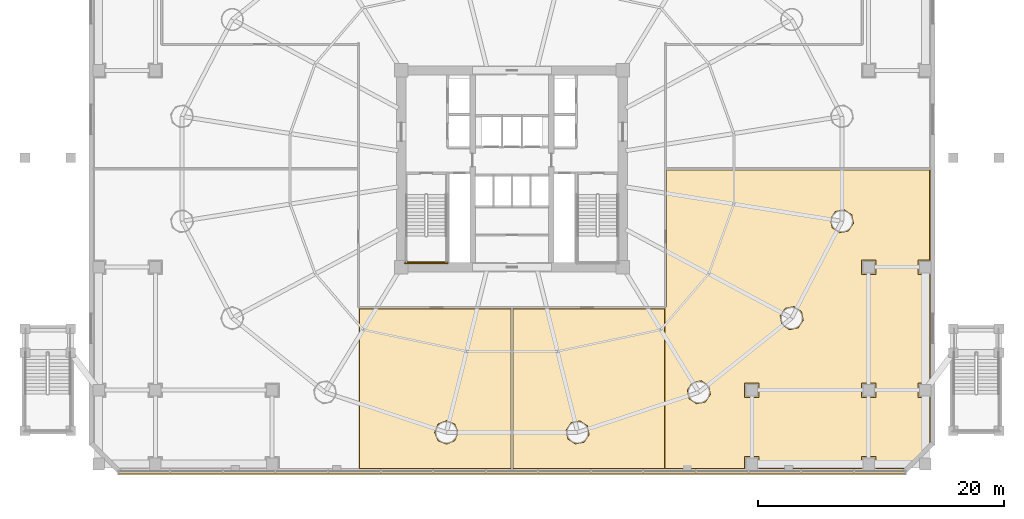
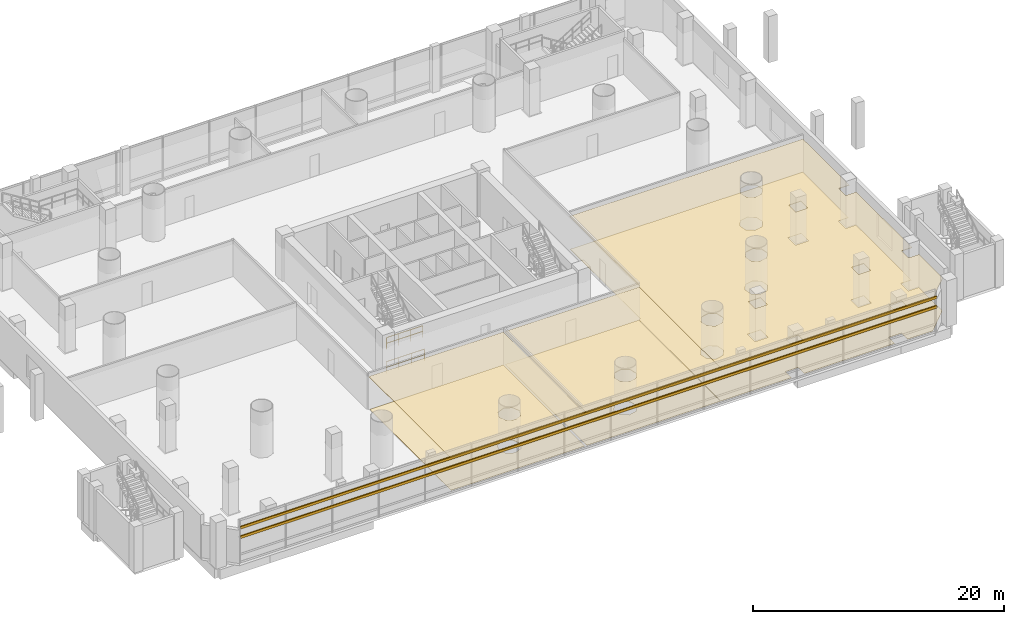
# One storey, part 28 of 36: 6 coverings, 2 railings, 2 shading devices.
"""IFC4 building model written with IfcOpenShell, lengths in metres."""

from ifc_helpers import new_model, si_unit, direction, frame, origin, origin_2d, place, context, subcontext, project, spatial, polyline, rectangle, hollow_rectangle, outline, extrude, source, transform, mapped, material, layer, layer_set, material_profile, profile_set, type_object, element, save


model = new_model("IFC4")

# Units and contexts
model_context = context("Model", 3, precision=1e-05, world=origin(), true_north=direction((-0.2419218956, 0.970295726276)))
body_context = subcontext(model_context, "Body", "Model", "MODEL_VIEW")
ifc_project = project(units=[si_unit("LENGTHUNIT", "METRE"), si_unit("AREAUNIT", "SQUARE_METRE"), si_unit("VOLUMEUNIT", "CUBIC_METRE"), si_unit("PLANEANGLEUNIT", "RADIAN"), si_unit("MASSUNIT", "GRAM", prefix="KILO")], contexts=[model_context])

# Site, building, storey
site_placement = place(None, origin())
site = spatial("IfcSite", under=ifc_project, at=site_placement, CompositionType="ELEMENT")
building_placement = place(site_placement, origin())
building = spatial("IfcBuilding", under=site, at=building_placement, Name="Cobrevalo Terracotta Tower", CompositionType="ELEMENT")
storey_placement = place(building_placement, frame((0.0, 0.0, 5.39990234375)))
storey = spatial("IfcBuildingStorey", under=building, at=storey_placement, Name="L01", CompositionType="ELEMENT", Elevation=5.39990234375)

# Coverings
ifc_material_1 = material(Name="Honed terracotta and granite tile", Category="masonry")
ifc_layer_1 = layer(ifc_material_1, 0.034912109375)
ifc_layer_set_1 = layer_set([ifc_layer_1], Name="Honed terracotta and granite tile")
covering_type_1 = type_object("IfcCoveringType", Name="Honed Terracotta & Granite Interior Flooring 35", PredefinedType="FLOORING", material=ifc_layer_set_1)
covering_1_placement = place(storey_placement, origin())
element("IfcCovering", 1, at=covering_1_placement, inside=storey, type_object=covering_type_1, Name="L01 Exhibition Atrium floor finish", PredefinedType="FLOORING", context=body_context, shape_type="SweptSolid", body=[
    extrude(outline(polyline([(69.921630859375, 2.43994140625), (67.60009765625, 2.43994140625), (67.60009765625, 3.39990234375), (66.39990234375, 3.39990234375), (66.39990234375, 2.43994140625), (58.10009765625, 2.43994140625), (58.10009765625, 3.39990234375), (56.89990234375, 3.39990234375), (56.89990234375, 2.43994140625), (50.419921875, 2.43994140625), (50.419921875, 15.423583984375), (50.580078125, 15.59814453125), (50.580078125, 26.699951171875), (71.9599609375, 26.699951171875), (71.9599609375, 19.39990234375), (71.0, 19.39990234375), (71.0, 18.199951171875), (71.9599609375, 18.199951171875), (71.9599609375, 9.39990234375), (71.0, 9.39990234375), (71.0, 8.199951171875), (71.9599609375, 8.199951171875), (71.9599609375, 4.478271484375), (69.921630859375, 2.43994140625)]), holes=[polyline([(66.39990234375, 9.39990234375), (66.39990234375, 8.199951171875), (67.60009765625, 8.199951171875), (67.60009765625, 9.39990234375), (66.39990234375, 9.39990234375)]), polyline([(66.39990234375, 19.39990234375), (66.39990234375, 18.199951171875), (67.60009765625, 18.199951171875), (67.60009765625, 19.39990234375), (66.39990234375, 19.39990234375)]), polyline([(65.35791015625, 21.739013671875), (65.76611328125, 22.349853515625), (65.622802734375, 23.07080078125), (65.01171875, 23.47900390625), (64.291015625, 23.33544921875), (63.8828125, 22.724609375), (64.026123046875, 22.00390625), (64.63720703125, 21.595703125), (65.35791015625, 21.739013671875)]), polyline([(61.274169921875, 13.862548828125), (61.682373046875, 14.473388671875), (61.5390625, 15.194091796875), (60.927978515625, 15.6025390625), (60.207275390625, 15.458984375), (59.799072265625, 14.84814453125), (59.9423828125, 14.12744140625), (60.553466796875, 13.71923828125), (61.274169921875, 13.862548828125)]), polyline([(56.89990234375, 9.39990234375), (56.89990234375, 8.199951171875), (58.10009765625, 8.199951171875), (58.10009765625, 9.39990234375), (56.89990234375, 9.39990234375)]), polyline([(53.728271484375, 7.833984375), (54.136474609375, 8.445068359375), (53.9931640625, 9.165771484375), (53.382080078125, 9.573974609375), (52.661376953125, 9.4306640625), (52.253173828125, 8.819580078125), (52.396484375, 8.098876953125), (53.007568359375, 7.690673828125), (53.728271484375, 7.833984375)])]), origin(), (0.0, 0.0, 1.0), 0.030029296875),
])
covering_2_placement = place(storey_placement, origin())
element("IfcCovering", 2, at=covering_2_placement, inside=storey, type_object=covering_type_1, Name="L01 Cultural Lecture Room floor finish", PredefinedType="FLOORING", context=body_context, shape_type="SweptSolid", body=[
    extrude(outline(polyline([(25.6201171875, 15.419921875), (37.89990234375, 15.419921875), (37.89990234375, 2.43994140625), (25.6201171875, 2.43994140625), (25.6201171875, 15.419921875)]), holes=[polyline([(33.34326171875, 4.69091796875), (33.624267578125, 5.369873046875), (33.34326171875, 6.048828125), (32.664306640625, 6.329833984375), (31.9853515625, 6.048828125), (31.7041015625, 5.369873046875), (31.9853515625, 4.69091796875), (32.664306640625, 4.40966796875), (33.34326171875, 4.69091796875)])]), origin(), (0.0, 0.0, 1.0), 0.030029296875),
])
covering_3_placement = place(storey_placement, origin())
element("IfcCovering", 3, at=covering_3_placement, inside=storey, type_object=covering_type_1, Name="L01 Gallery Administration floor finish", PredefinedType="FLOORING", context=body_context, shape_type="SweptSolid", body=[
    extrude(outline(polyline([(38.10009765625, 15.419921875), (50.3798828125, 15.419921875), (50.3798828125, 2.43994140625), (38.10009765625, 2.43994140625), (38.10009765625, 15.419921875)]), holes=[polyline([(43.869140625, 4.571533203125), (44.27734375, 5.1826171875), (44.134033203125, 5.9033203125), (43.52294921875, 6.3115234375), (42.80224609375, 6.168212890625), (42.39404296875, 5.55712890625), (42.537353515625, 4.83642578125), (43.1484375, 4.42822265625), (43.869140625, 4.571533203125)])]), origin(), (0.0, 0.0, 1.0), 0.030029296875),
])
ifc_material_2 = material(Name="Acoustic perforated gypsum ceiling", Category="gypsum")
ifc_layer_2 = layer(ifc_material_2, 0.050048828125)
ifc_layer_set_2 = layer_set([ifc_layer_2], Name="Acoustic perforated gypsum ceiling")
covering_type_2 = type_object("IfcCoveringType", Name="Perforated Acoustic Gypsum Ceiling 50", PredefinedType="CEILING", material=ifc_layer_set_2)
covering_4_placement = place(storey_placement, frame((0.0, 0.0, 3.16015625)))
element("IfcCovering", 4, at=covering_4_placement, inside=storey, type_object=covering_type_2, Name="L01 Exhibition Atrium acoustic ceiling", PredefinedType="CEILING", context=body_context, shape_type="SweptSolid", body=[
    extrude(outline(polyline([(69.9404296875, 2.39501953125), (67.554931640625, 2.39501953125), (67.554931640625, 3.35498046875), (66.445068359375, 3.35498046875), (66.445068359375, 2.39501953125), (58.054931640625, 2.39501953125), (58.054931640625, 3.35498046875), (56.945068359375, 3.35498046875), (56.945068359375, 2.39501953125), (50.375, 2.39501953125), (50.375, 15.46044921875), (50.534912109375, 15.6025390625), (50.534912109375, 26.7451171875), (72.0048828125, 26.7451171875), (72.0048828125, 19.35498046875), (71.044921875, 19.35498046875), (71.044921875, 18.2451171875), (72.0048828125, 18.2451171875), (72.0048828125, 9.35498046875), (71.044921875, 9.35498046875), (71.044921875, 8.2451171875), (72.0048828125, 8.2451171875), (72.0048828125, 4.459716796875), (69.9404296875, 2.39501953125)]), holes=[polyline([(66.445068359375, 9.35498046875), (66.445068359375, 8.2451171875), (67.554931640625, 8.2451171875), (67.554931640625, 9.35498046875), (66.445068359375, 9.35498046875)]), polyline([(66.445068359375, 19.35498046875), (66.445068359375, 18.2451171875), (67.554931640625, 18.2451171875), (67.554931640625, 19.35498046875), (66.445068359375, 19.35498046875)]), polyline([(65.332763671875, 21.776611328125), (65.7216796875, 22.35888671875), (65.585205078125, 23.045654296875), (65.0029296875, 23.4345703125), (64.316162109375, 23.2978515625), (63.92724609375, 22.7158203125), (64.063720703125, 22.029052734375), (64.64599609375, 21.639892578125), (65.332763671875, 21.776611328125)]), polyline([(61.2490234375, 13.900146484375), (61.637939453125, 14.482421875), (61.50146484375, 15.169189453125), (60.919189453125, 15.55810546875), (60.232421875, 15.42138671875), (59.843505859375, 14.83935546875), (59.97998046875, 14.152587890625), (60.562255859375, 13.763427734375), (61.2490234375, 13.900146484375)]), polyline([(56.945068359375, 9.35498046875), (56.945068359375, 8.2451171875), (58.054931640625, 8.2451171875), (58.054931640625, 9.35498046875), (56.945068359375, 9.35498046875)]), polyline([(53.703125, 7.87158203125), (54.092041015625, 8.453857421875), (53.95556640625, 9.140625), (53.373291015625, 9.52978515625), (52.6865234375, 9.39306640625), (52.297607421875, 8.810791015625), (52.43408203125, 8.1240234375), (53.016357421875, 7.735107421875), (53.703125, 7.87158203125)])]), origin(), (0.0, 0.0, 1.0), 0.050048828125),
])
covering_5_placement = place(storey_placement, frame((0.0, 0.0, 3.16015625)))
element("IfcCovering", 5, at=covering_5_placement, inside=storey, type_object=covering_type_2, Name="L01 Cultural Lecture Room acoustic ceiling", PredefinedType="CEILING", context=body_context, shape_type="SweptSolid", body=[
    extrude(outline(polyline([(25.574951171875, 15.465087890625), (37.945068359375, 15.465087890625), (37.945068359375, 2.39501953125), (25.574951171875, 2.39501953125), (25.574951171875, 15.465087890625)]), holes=[polyline([(33.311279296875, 4.722900390625), (33.5791015625, 5.369873046875), (33.311279296875, 6.016845703125), (32.664306640625, 6.28466796875), (32.017333984375, 6.016845703125), (31.74951171875, 5.369873046875), (32.017333984375, 4.722900390625), (32.664306640625, 4.455078125), (33.311279296875, 4.722900390625)])]), origin(), (0.0, 0.0, 1.0), 0.050048828125),
])
covering_6_placement = place(storey_placement, frame((0.0, 0.0, 3.16015625)))
element("IfcCovering", 6, at=covering_6_placement, inside=storey, type_object=covering_type_2, Name="L01 Gallery Administration acoustic ceiling", PredefinedType="CEILING", context=body_context, shape_type="SweptSolid", body=[
    extrude(outline(polyline([(38.054931640625, 15.465087890625), (50.425048828125, 15.465087890625), (50.425048828125, 2.39501953125), (38.054931640625, 2.39501953125), (38.054931640625, 15.465087890625)]), holes=[polyline([(43.843994140625, 4.609130859375), (44.23291015625, 5.19140625), (44.096435546875, 5.878173828125), (43.51416015625, 6.26708984375), (42.827392578125, 6.130615234375), (42.4384765625, 5.54833984375), (42.574951171875, 4.861572265625), (43.1572265625, 4.47265625), (43.843994140625, 4.609130859375)])]), origin(), (0.0, 0.0, 1.0), 0.050048828125),
])

# Railings
ifc_material_3 = material(Name="Painted galvanized steel", Category="steel")
railing_type = type_object("IfcRailingType", Name="Stair Well Guard Balustrade 1150", PredefinedType="GUARDRAIL", material=ifc_material_3)
railing_1_placement = place(storey_placement, frame((29.375, 19.22509765625, 2.25)))
element("IfcRailing", 7, at=railing_1_placement, inside=storey, type_object=railing_type, Name="L01 ST-1 stair guard 5", PredefinedType="GUARDRAIL", context=body_context, shape_type="SweptSolid", body=[
    extrude(rectangle(XDim=0.048095703125, YDim=0.048095703125, at=origin_2d()), frame((0.0, 0.0, 1.1259765625), z_axis=(1.0, 0.0, 0.0), x_axis=(0.0, 1.0, 0.0)), (0.0, 0.0, 1.0), 3.320068359375),
    extrude(rectangle(XDim=0.048095703125, YDim=0.048095703125, at=origin_2d()), frame((0.0, 0.0, 0.574951171875), z_axis=(1.0, 0.0, 0.0), x_axis=(0.0, 1.0, 0.0)), (0.0, 0.0, 1.0), 3.320068359375),
    extrude(rectangle(XDim=0.0419921875, YDim=0.0419921875, at=origin_2d()), origin(), (0.0, 0.0, 1.0), 1.101806640625),
    extrude(rectangle(XDim=0.0419921875, YDim=0.0419921875, at=origin_2d()), frame((1.106689453125, 0.0, 0.0)), (0.0, 0.0, 1.0), 1.101806640625),
    extrude(rectangle(XDim=0.0419921875, YDim=0.0419921875, at=origin_2d()), frame((2.21337890625, 0.0, 0.0)), (0.0, 0.0, 1.0), 1.101806640625),
    extrude(rectangle(XDim=0.0419921875, YDim=0.0419921875, at=origin_2d()), frame((3.320068359375, 0.0, 0.0)), (0.0, 0.0, 1.0), 1.101806640625),
])
railing_2_placement = place(storey_placement, frame((29.27490234375, 19.125, 0.0)))
element("IfcRailing", 8, at=railing_2_placement, inside=storey, type_object=railing_type, Name="L01 ST-1 stair guard 12", PredefinedType="GUARDRAIL", context=body_context, shape_type="SweptSolid", body=[
    extrude(rectangle(XDim=0.048095703125, YDim=0.048095703125, at=origin_2d()), frame((0.0, 0.0, 1.1259765625), z_axis=(1.0, 0.0, 0.0), x_axis=(0.0, 1.0, 0.0)), (0.0, 0.0, 1.0), 3.52001953125),
    extrude(rectangle(XDim=0.048095703125, YDim=0.048095703125, at=origin_2d()), frame((0.0, 0.0, 0.574951171875), z_axis=(1.0, 0.0, 0.0), x_axis=(0.0, 1.0, 0.0)), (0.0, 0.0, 1.0), 3.52001953125),
    extrude(rectangle(XDim=0.0419921875, YDim=0.0419921875, at=origin_2d()), origin(), (0.0, 0.0, 1.0), 1.101806640625),
    extrude(rectangle(XDim=0.0419921875, YDim=0.0419921875, at=origin_2d()), frame((1.17333984375, 0.0, 0.0)), (0.0, 0.0, 1.0), 1.101806640625),
    extrude(rectangle(XDim=0.0419921875, YDim=0.0419921875, at=origin_2d()), frame((2.3466796875, 0.0, 0.0)), (0.0, 0.0, 1.0), 1.101806640625),
    extrude(rectangle(XDim=0.0419921875, YDim=0.0419921875, at=origin_2d()), frame((3.52001953125, 0.0, 0.0)), (0.0, 0.0, 1.0), 1.101806640625),
])

# Shading devices
ifc_material_4 = material(Name="Extruded fired architectural terracotta", Category="masonry")
ifc_material_profile = material_profile(ifc_material_4, hollow_rectangle(XDim=0.110107421875, YDim=0.239990234375, WallThickness=0.01806640625, at=origin_2d()), Name="BAGUETTE 110x240")
ifc_profile_set = profile_set([ifc_material_profile], Name="Extruded fired architectural terracotta")
shading_device_type = type_object("IfcShadingDeviceType", Name="Horizontal Terracotta Baguette Screen 110x240", PredefinedType="USERDEFINED", material=ifc_profile_set)
shared_shape = source(origin(), body_context, "Body", "SweptSolid", [
    extrude(hollow_rectangle(XDim=0.110107421875, YDim=0.239990234375, WallThickness=0.01806640625, at=origin_2d()), origin(), (0.0, 0.0, 1.0), 64.02001953125),
])
for number, where, z_axis, x_axis, name in (
    (9, (5.989990234375, 2.02001953125, 2.60400390625), (1.0, 0.0, 0.0), (0.0, 1.0, 0.0), "CW-POD-L01-S horizontal terracotta baguette 1"),
    (10, (5.989990234375, 2.02001953125, 3.528076171875), (1.0, 0.0, 0.0), (0.0, 1.0, 0.0), "CW-POD-L01-S horizontal terracotta baguette 2"),
):
    element("IfcShadingDevice", number, at=place(storey_placement, frame(where, z_axis=z_axis, x_axis=x_axis)), inside=storey, type_object=shading_device_type, Name=name, ObjectType="BAGUETTE", PredefinedType="USERDEFINED", context=body_context, shape_type="MappedRepresentation", body=[
        mapped(shared_shape, transform((0.0, 0.0, 0.0), scale=1.0)),
    ])

save(model, "model.ifc")
